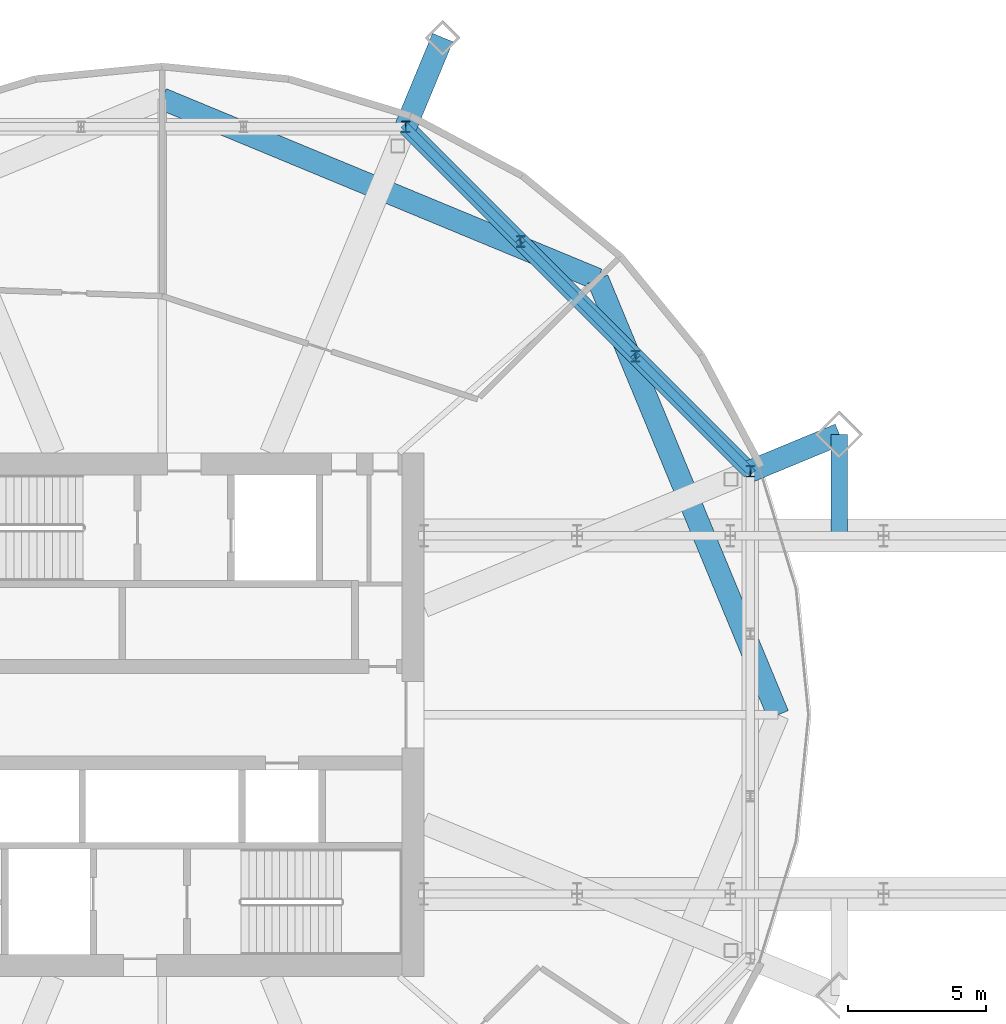
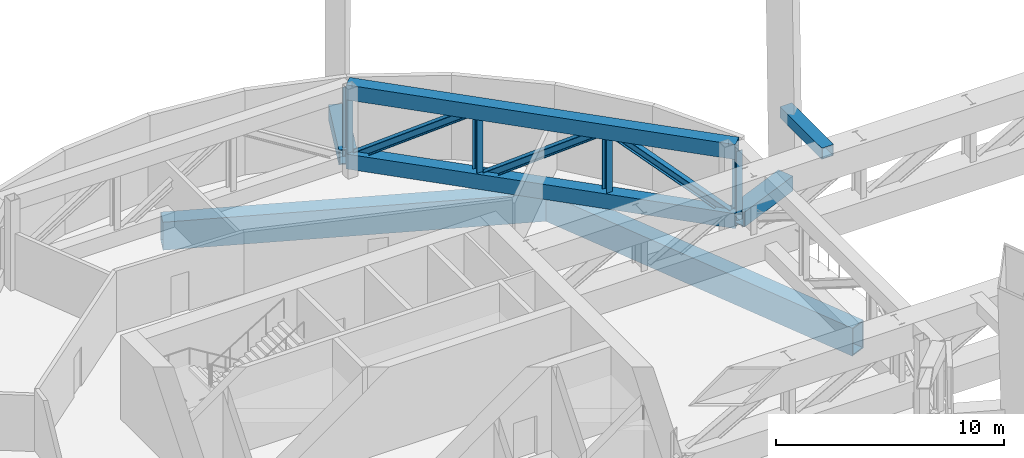
# One storey, part 7 of 19: 9 members, 5 beams.
"""IFC4 building model written with IfcOpenShell, lengths in metres."""

from ifc_helpers import new_model, si_unit, direction, frame, origin, origin_2d, place, context, subcontext, project, spatial, hollow_rectangle, i_section, extrude, material, material_profile, profile_set, type_object, element, save


model = new_model("IFC4")

# Units and contexts
model_context = context("Model", 3, precision=1e-05, world=origin(), true_north=direction((0.0, 1.0)))
body_context = subcontext(model_context, "Body", "Model", "MODEL_VIEW")
ifc_project = project(units=[si_unit("LENGTHUNIT", "METRE"), si_unit("AREAUNIT", "SQUARE_METRE"), si_unit("VOLUMEUNIT", "CUBIC_METRE"), si_unit("PLANEANGLEUNIT", "RADIAN"), si_unit("MASSUNIT", "GRAM", prefix="KILO")], contexts=[model_context])

# Site, building, storey
site_placement = place(None, origin())
site = spatial("IfcSite", under=ifc_project, at=site_placement, CompositionType="ELEMENT")
building_placement = place(site_placement, origin())
building = spatial("IfcBuilding", under=site, at=building_placement, Name="Ogive Gate Towers", CompositionType="ELEMENT")
storey_placement = place(building_placement, frame((0.0, 0.0, 130.800048828125)))
storey = spatial("IfcBuildingStorey", under=building, at=storey_placement, Name="L31", CompositionType="ELEMENT", Elevation=130.800048828125)

# Beams
ifc_material = material(Name="Steel SM460", Category="steel")
ifc_material_profile_1 = material_profile(ifc_material, hollow_rectangle(XDim=0.800048828125, YDim=1.5, WallThickness=0.06005859375, at=origin_2d()), Name="BX 1500x800x60")
ifc_profile_set_1 = profile_set([ifc_material_profile_1], Name="Steel SM460")
beam_type_1 = type_object("IfcBeamType", Name="Edge girder BX 1500x800x60", PredefinedType="BEAM", material=ifc_profile_set_1)
for number, where, z_axis, x_axis, name in (
    (1, (-13.64990234375, 0.0, -1.050048828125), (-0.382679941797, 0.923880978344, 0.0), (-0.923880978344, -0.382679941797, 0.0), "T1/L31/SBM020"),
    (2, (-20.196044921875, 15.803955078125, -1.050048828125), (-0.923880978344, 0.382679941797, 0.0), (-0.382679941797, -0.923880978344, 0.0), "T1/L31/SBM021"),
):
    element("IfcBeam", number, at=place(storey_placement, frame(where, z_axis=z_axis, x_axis=x_axis)), inside=storey, type_object=beam_type_1, Name=name, PredefinedType="BEAM", context=body_context, shape_type="SweptSolid", body=[
        extrude(hollow_rectangle(XDim=0.800048828125, YDim=1.5, WallThickness=0.06005859375, at=origin_2d()), origin(), (0.0, 0.0, 1.0), 17.10595703125),
    ])
ifc_material_profile_2 = material_profile(ifc_material, hollow_rectangle(XDim=0.60009765625, YDim=0.60009765625, WallThickness=0.0400390625, at=origin_2d()), Name="BX 600x600x40")
ifc_profile_set_2 = profile_set([ifc_material_profile_2], Name="Steel SM460")
beam_type_2 = type_object("IfcBeamType", Name="Gate link BX 600x600x40", PredefinedType="BEAM", material=ifc_profile_set_2)
beam_placement = place(storey_placement, frame((-11.4248046875, 6.5, 4.199951171875), z_axis=(0.0, 1.0, 0.0), x_axis=(-1.0, 0.0, 0.0)))
element("IfcBeam", 3, at=beam_placement, inside=storey, type_object=beam_type_2, Name="BR/L31/SBM001", PredefinedType="BEAM", context=body_context, shape_type="SweptSolid", body=[
    extrude(hollow_rectangle(XDim=0.60009765625, YDim=0.60009765625, WallThickness=0.0400390625, at=origin_2d()), origin(), (0.0, 0.0, 1.0), 3.679443359375),
])
ifc_material_profile_3 = material_profile(ifc_material, hollow_rectangle(XDim=0.800048828125, YDim=0.800048828125, WallThickness=0.050048828125, at=origin_2d()), Name="BX 800x800x50")
ifc_profile_set_3 = profile_set([ifc_material_profile_3], Name="Steel SM460")
beam_type_3 = type_object("IfcBeamType", Name="Node arm BX 800x800x50", PredefinedType="BEAM", material=ifc_profile_set_3)
for number, where, z_axis, x_axis, name in (
    (4, (-14.658447265625, 8.840087890625, 0.449951171875), (0.923885910704, 0.382668033682, 0.0), (-0.382668033682, 0.923885910704, 0.0), "T1/L31/SBM025"),
    (5, (-27.159912109375, 21.341552734375, 0.449951171875), (0.382668033682, 0.923885910704, 0.0), (-0.923885910704, 0.382668033682, 0.0), "T1/L31/SBM026"),
):
    element("IfcBeam", number, at=place(storey_placement, frame(where, z_axis=z_axis, x_axis=x_axis)), inside=storey, type_object=beam_type_3, Name=name, PredefinedType="BEAM", context=body_context, shape_type="SweptSolid", body=[
        extrude(hollow_rectangle(XDim=0.800048828125, YDim=0.800048828125, WallThickness=0.050048828125, at=origin_2d()), origin(), (0.0, 0.0, 1.0), 3.5),
    ])

# Members
ifc_material_profile_4 = material_profile(ifc_material, hollow_rectangle(XDim=0.60009765625, YDim=0.800048828125, WallThickness=0.0400390625, at=origin_2d()), Name="BX 800x600x40")
ifc_profile_set_4 = profile_set([ifc_material_profile_4], Name="Steel SM460")
member_type_1 = type_object("IfcMemberType", Name="Truss chord BX 800x600x40", PredefinedType="CHORD", material=ifc_profile_set_4)
for number, where, z_axis, x_axis, name in (
    (6, (-14.658447265625, 8.840087890625, 0.39990234375), (-0.707106781187, 0.707106781187, 0.0), (-0.707106781187, -0.707106781187, 0.0), "T1/L31/STR001"),
    (7, (-14.658447265625, 8.840087890625, 4.099853515625), (-0.707106781187, 0.707106781187, 0.0), (-0.707106781187, -0.707106781187, 0.0), "T1/L31/STR002"),
):
    element("IfcMember", number, at=place(storey_placement, frame(where, z_axis=z_axis, x_axis=x_axis)), inside=storey, type_object=member_type_1, Name=name, PredefinedType="CHORD", context=body_context, shape_type="SweptSolid", body=[
        extrude(hollow_rectangle(XDim=0.60009765625, YDim=0.800048828125, WallThickness=0.0400390625, at=origin_2d()), origin(), (0.0, 0.0, 1.0), 17.6796875),
    ])
ifc_material_profile_5 = material_profile(ifc_material, i_section(OverallWidth=0.300048828125, OverallDepth=0.39990234375, WebThickness=0.013427734375, FlangeThickness=0.02392578125, FilletRadius=0.027099609375, at=origin_2d()), Name="HE 400 B")
ifc_profile_set_5 = profile_set([ifc_material_profile_5], Name="Steel SM460")
member_type_2 = type_object("IfcMemberType", Name="Truss diagonal HE 400 B", PredefinedType="BRACE", material=ifc_profile_set_5)
member_1_placement = place(storey_placement, frame((-14.658447265625, 8.840087890625, 0.39990234375), z_axis=(-0.598866000046, 0.598866000046, 0.531713294903), x_axis=(-0.707106781187, -0.707106781187, 0.0)))
element("IfcMember", 8, at=member_1_placement, inside=storey, type_object=member_type_2, Name="T1/L31/STR003", PredefinedType="BRACE", context=body_context, shape_type="SweptSolid", body=[
    extrude(i_section(OverallWidth=0.300048828125, OverallDepth=0.39990234375, WebThickness=0.013427734375, FlangeThickness=0.02392578125, FilletRadius=0.027099609375, at=origin_2d()), origin(), (0.0, 0.0, 1.0), 6.95849609375),
])
member_2_placement = place(storey_placement, frame((-18.82568359375, 13.00732421875, 4.099853515625), z_axis=(-0.598856080222, 0.598856080222, -0.531735639545), x_axis=(-0.707106781187, -0.707106781187, 0.0)))
element("IfcMember", 9, at=member_2_placement, inside=storey, type_object=member_type_2, Name="T1/L31/STR004", PredefinedType="BRACE", context=body_context, shape_type="SweptSolid", body=[
    extrude(i_section(OverallWidth=0.300048828125, OverallDepth=0.39990234375, WebThickness=0.013427734375, FlangeThickness=0.02392578125, FilletRadius=0.027099609375, at=origin_2d()), origin(), (0.0, 0.0, 1.0), 6.958251953125),
])
member_3_placement = place(storey_placement, frame((-22.99267578125, 17.17431640625, 4.099853515625), z_axis=(-0.598866000046, 0.598866000046, -0.531713294903), x_axis=(-0.707106781187, -0.707106781187, 0.0)))
element("IfcMember", 10, at=member_3_placement, inside=storey, type_object=member_type_2, Name="T1/L31/STR005", PredefinedType="BRACE", context=body_context, shape_type="SweptSolid", body=[
    extrude(i_section(OverallWidth=0.300048828125, OverallDepth=0.39990234375, WebThickness=0.013427734375, FlangeThickness=0.02392578125, FilletRadius=0.027099609375, at=origin_2d()), origin(), (0.0, 0.0, 1.0), 6.95849609375),
])
ifc_material_profile_6 = material_profile(ifc_material, i_section(OverallWidth=0.300048828125, OverallDepth=0.39990234375, WebThickness=0.013427734375, FlangeThickness=0.02392578125, FilletRadius=0.027099609375, at=origin_2d()), Name="HE 400 B")
ifc_profile_set_6 = profile_set([ifc_material_profile_6], Name="Steel SM460")
member_type_3 = type_object("IfcMemberType", Name="Truss post HE 400 B", PredefinedType="POST", material=ifc_profile_set_6)
for number, where, z_axis, x_axis, name in (
    (11, (-14.658447265625, 8.840087890625, 0.39990234375), (0.0, 0.0, 1.0), (1.0, 0.0, 0.0), "T1/L31/STR006"),
    (12, (-18.82568359375, 13.00732421875, 0.39990234375), (0.0, 0.0, 1.0), (1.0, 0.0, 0.0), "T1/L31/STR007"),
    (13, (-22.99267578125, 17.17431640625, 0.39990234375), (0.0, 0.0, 1.0), (1.0, 0.0, 0.0), "T1/L31/STR008"),
    (14, (-27.159912109375, 21.341552734375, 0.39990234375), (0.0, 0.0, 1.0), (1.0, 0.0, 0.0), "T1/L31/STR009"),
):
    element("IfcMember", number, at=place(storey_placement, frame(where, z_axis=z_axis, x_axis=x_axis)), inside=storey, type_object=member_type_3, Name=name, PredefinedType="POST", context=body_context, shape_type="SweptSolid", body=[
        extrude(i_section(OverallWidth=0.300048828125, OverallDepth=0.39990234375, WebThickness=0.013427734375, FlangeThickness=0.02392578125, FilletRadius=0.027099609375, at=origin_2d()), origin(), (0.0, 0.0, 1.0), 3.699951171875),
    ])

save(model, "model.ifc")
